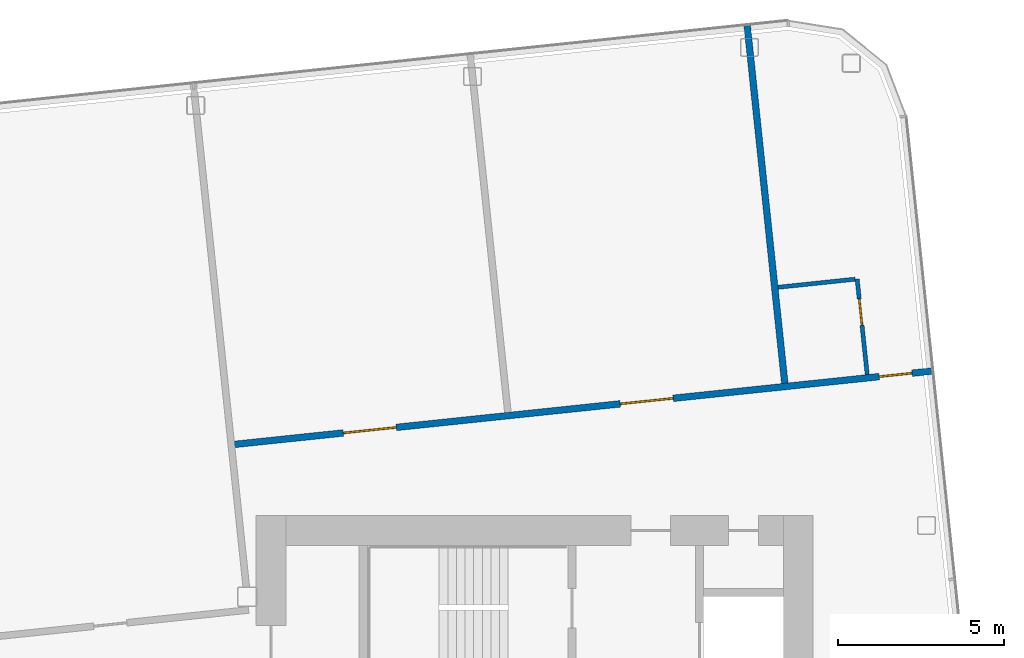
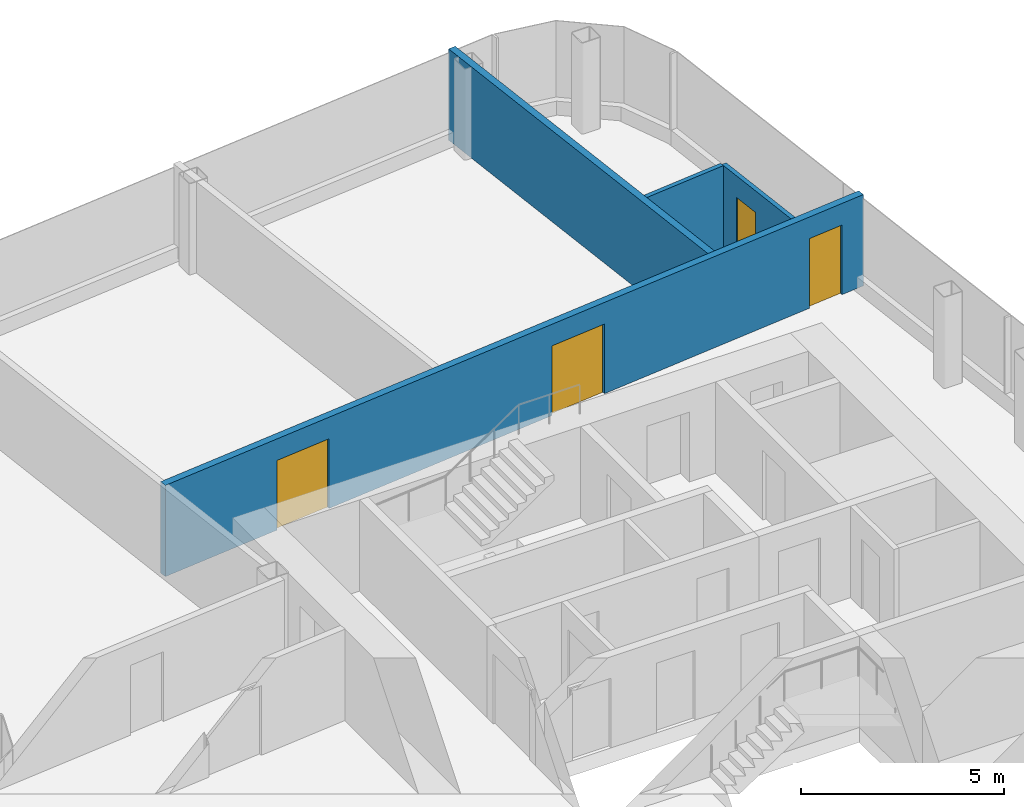
# One storey, part 18 of 27: 4 doors, 4 walls, 4 openings.
"""IFC4 building model written with IfcOpenShell, lengths in metres."""

from ifc_helpers import new_model, si_unit, direction, frame, frame_2d, origin, place, context, subcontext, project, spatial, rectangle, extrude, material, layer, layer_set, type_object, element, fill, save


model = new_model("IFC4")

# Units and contexts
model_context = context("Model", 3, precision=1e-05, world=origin(), true_north=direction((0.0, 1.0)))
body_context = subcontext(model_context, "Body", "Model", "MODEL_VIEW")
ifc_project = project(units=[si_unit("LENGTHUNIT", "METRE"), si_unit("AREAUNIT", "SQUARE_METRE"), si_unit("VOLUMEUNIT", "CUBIC_METRE"), si_unit("PLANEANGLEUNIT", "RADIAN"), si_unit("MASSUNIT", "GRAM", prefix="KILO")], contexts=[model_context])

# Site, building, storey
site_placement = place(None, origin())
site = spatial("IfcSite", under=ifc_project, at=site_placement, CompositionType="ELEMENT")
building_placement = place(site_placement, origin())
building = spatial("IfcBuilding", under=site, at=building_placement, Name="Hakoniwa Tower and Hamabe Station Hall", CompositionType="ELEMENT")
storey_placement = place(building_placement, frame((0.0, 0.0, 242.199951171875)))
storey = spatial("IfcBuildingStorey", under=building, at=storey_placement, Name="L68", CompositionType="ELEMENT", Elevation=242.199951171875)

# Wall
ifc_material_1 = material(Name="Gypsum board partition", Category="gypsum")
ifc_layer_1 = layer(ifc_material_1, 0.125)
ifc_layer_set_1 = layer_set([ifc_layer_1], Name="Bathroom Partition 125")
wall_type_1 = type_object("IfcWallType", Name="Bathroom Partition 125", PredefinedType="PARTITIONING", material=ifc_layer_set_1)
wall_1_placement = place(storey_placement, frame((32.5419921875, 15.283203125, 0.0), z_axis=(0.0, 0.0, 1.0), x_axis=(0.994519751088, 0.104548862722, 0.0)))
element("IfcWall", 1, at=wall_1_placement, inside=storey, type_object=wall_type_1, Name="GW-L68-011", PredefinedType="PARTITIONING", context=body_context, shape_type="SweptSolid", body=[
    extrude(rectangle(XDim=2.33740234375, YDim=0.125, at=frame_2d((1.168701171875, 0.0))), origin(), (0.0, 0.0, 1.0), 2.75),
])

# Wall, opening, door
wall_2_placement = place(storey_placement, frame((35.23193359375, 12.64990234375, 0.0), z_axis=(0.0, 0.0, 1.0), x_axis=(-0.104470059912, 0.994528032074, 0.0)))
wall_2 = element("IfcWall", 2, at=wall_2_placement, inside=storey, type_object=wall_type_1, Name="GW-L68-045", PredefinedType="PARTITIONING", context=body_context, shape_type="SweptSolid", body=[
    extrude(rectangle(XDim=2.900146484375, YDim=0.125, at=frame_2d((1.4501953125, 0.0))), origin(), (0.0, 0.0, 1.0), 2.75),
])
opening_1_placement = place(wall_2_placement, frame((1.5, 0.0, 0.0)))
opening_1 = element("IfcOpeningElement", 3, at=opening_1_placement, cuts=wall_2, Name="Opening GD-G5B0-31", PredefinedType="OPENING", context=body_context, shape_type="SweptSolid", body=[
    extrude(rectangle(XDim=0.800048828125, YDim=2.10009765625, at=frame_2d((0.39990234375, 1.050048828125))), frame((0.0, 0.072509765625, 0.0), z_axis=(0.0, -1.0, 0.0), x_axis=(1.0, 0.0, 0.0)), (0.0, 0.0, 1.0), 0.14501953125),
])
ifc_material_2 = material(Name="Timber door leaf", Category="wood")
door_type_1 = type_object("IfcDoorType", Name="Bathroom Door 800", OperationType="SINGLE_SWING_LEFT", PredefinedType="DOOR", material=ifc_material_2)
door_1_placement = place(opening_1_placement, origin())
door_1 = element("IfcDoor", 4, at=door_1_placement, inside=storey, type_object=door_type_1, Name="Door GD-G5B0-31", OperationType="SINGLE_SWING_LEFT", OverallHeight=2.10009765625, OverallWidth=0.800048828125, PredefinedType="DOOR", context=body_context, shape_type="SweptSolid", body=[
    extrude(rectangle(XDim=0.800048828125, YDim=2.10009765625, at=frame_2d((0.39990234375, 1.050048828125))), frame((0.0, 0.02490234375, 0.0), z_axis=(0.0, -1.0, 0.0), x_axis=(1.0, 0.0, 0.0)), (0.0, 0.0, 1.0), 0.050048828125),
])
fill(opening_1, door_1)

# Wall, openings, doors
ifc_material_3 = material(Name="Fire-rated gypsum board partition", Category="gypsum")
ifc_layer_2 = layer(ifc_material_3, 0.199951171875)
ifc_layer_set_2 = layer_set([ifc_layer_2], Name="Corridor Wall 200")
wall_type_2 = type_object("IfcWallType", Name="Corridor Wall 200", PredefinedType="PARTITIONING", material=ifc_layer_set_2)
wall_3_placement = place(storey_placement, frame((16.04833984375, 10.533203125, 0.0), z_axis=(0.0, 0.0, 1.0), x_axis=(0.994522460242, 0.104523088709, 0.0)))
wall_3 = element("IfcWall", 5, at=wall_3_placement, inside=storey, type_object=wall_type_2, Name="GW-L68-010", PredefinedType="PARTITIONING", context=body_context, shape_type="SweptSolid", body=[
    extrude(rectangle(XDim=21.2998046875, YDim=0.199951171875, at=frame_2d((10.64990234375, 0.0))), origin(), (0.0, 0.0, 1.0), 2.75),
])
opening_2_placement = place(wall_3_placement, frame((3.39990234375, 0.0, 0.0)))
opening_2 = element("IfcOpeningElement", 6, at=opening_2_placement, cuts=wall_3, Name="Opening GD-G5B0-17", PredefinedType="OPENING", context=body_context, shape_type="SweptSolid", body=[
    extrude(rectangle(XDim=1.60009765625, YDim=2.10009765625, at=frame_2d((0.800048828125, 1.050048828125))), frame((0.0, 0.10986328125, 0.0), z_axis=(0.0, -1.0, 0.0), x_axis=(1.0, 0.0, 0.0)), (0.0, 0.0, 1.0), 0.219970703125),
])
opening_3_placement = place(wall_3_placement, frame((11.800048828125, 0.0, 0.0)))
opening_3 = element("IfcOpeningElement", 7, at=opening_3_placement, cuts=wall_3, Name="Opening GD-G5B0-18", PredefinedType="OPENING", context=body_context, shape_type="SweptSolid", body=[
    extrude(rectangle(XDim=1.60009765625, YDim=2.10009765625, at=frame_2d((0.800048828125, 1.050048828125))), frame((0.0, 0.10986328125, 0.0), z_axis=(0.0, -1.0, 0.0), x_axis=(1.0, 0.0, 0.0)), (0.0, 0.0, 1.0), 0.219970703125),
])
opening_4_placement = place(wall_3_placement, frame((19.64990234375, 0.0, 0.0)))
opening_4 = element("IfcOpeningElement", 8, at=opening_4_placement, cuts=wall_3, Name="Opening GD-G5B0-19", PredefinedType="OPENING", context=body_context, shape_type="SweptSolid", body=[
    extrude(rectangle(XDim=1.0, YDim=2.10009765625, at=frame_2d((0.5, 1.050048828125))), frame((0.0, 0.10986328125, 0.0), z_axis=(0.0, -1.0, 0.0), x_axis=(1.0, 0.0, 0.0)), (0.0, 0.0, 1.0), 0.219970703125),
])
ifc_material_4 = material(Name="Timber door leaf", Category="wood")
door_type_2 = type_object("IfcDoorType", Name="Double Door 1600", OperationType="DOUBLE_DOOR_SINGLE_SWING", PredefinedType="DOOR", material=ifc_material_4)
door_2_placement = place(opening_2_placement, origin())
door_2 = element("IfcDoor", 9, at=door_2_placement, inside=storey, type_object=door_type_2, Name="Door GD-G5B0-17", OperationType="DOUBLE_DOOR_SINGLE_SWING", OverallHeight=2.10009765625, OverallWidth=1.60009765625, PredefinedType="DOOR", context=body_context, shape_type="SweptSolid", body=[
    extrude(rectangle(XDim=1.60009765625, YDim=2.10009765625, at=frame_2d((0.800048828125, 1.050048828125))), frame((0.0, 0.02490234375, 0.0), z_axis=(0.0, -1.0, 0.0), x_axis=(1.0, 0.0, 0.0)), (0.0, 0.0, 1.0), 0.050048828125),
])
fill(opening_2, door_2)
door_3_placement = place(opening_3_placement, origin())
door_3 = element("IfcDoor", 10, at=door_3_placement, inside=storey, type_object=door_type_2, Name="Door GD-G5B0-18", OperationType="DOUBLE_DOOR_SINGLE_SWING", OverallHeight=2.10009765625, OverallWidth=1.60009765625, PredefinedType="DOOR", context=body_context, shape_type="SweptSolid", body=[
    extrude(rectangle(XDim=1.60009765625, YDim=2.10009765625, at=frame_2d((0.800048828125, 1.050048828125))), frame((0.0, 0.02490234375, 0.0), z_axis=(0.0, -1.0, 0.0), x_axis=(1.0, 0.0, 0.0)), (0.0, 0.0, 1.0), 0.050048828125),
])
fill(opening_3, door_3)
ifc_material_5 = material(Name="Timber door leaf", Category="wood")
door_type_3 = type_object("IfcDoorType", Name="Guest Entrance Door 1000", OperationType="SINGLE_SWING_LEFT", PredefinedType="DOOR", material=ifc_material_5)
door_4_placement = place(opening_4_placement, origin())
door_4 = element("IfcDoor", 11, at=door_4_placement, inside=storey, type_object=door_type_3, Name="Door GD-G5B0-19", OperationType="SINGLE_SWING_RIGHT", OverallHeight=2.10009765625, OverallWidth=1.0, PredefinedType="DOOR", context=body_context, shape_type="SweptSolid", body=[
    extrude(rectangle(XDim=1.0, YDim=2.10009765625, at=frame_2d((0.5, 1.050048828125))), frame((0.0, 0.02490234375, 0.0), z_axis=(0.0, -1.0, 0.0), x_axis=(1.0, 0.0, 0.0)), (0.0, 0.0, 1.0), 0.050048828125),
])
fill(opening_4, door_4)

# Wall
ifc_material_6 = material(Name="Fire-rated gypsum board partition", Category="gypsum")
ifc_layer_3 = layer(ifc_material_6, 0.199951171875)
ifc_layer_set_3 = layer_set([ifc_layer_3], Name="Party Wall 200")
wall_type_3 = type_object("IfcWallType", Name="Party Wall 200", PredefinedType="PARTITIONING", material=ifc_layer_set_3)
wall_4_placement = place(storey_placement, frame((32.745849609375, 12.388671875, 0.0), z_axis=(0.0, 0.0, 1.0), x_axis=(-0.104533048416, 0.994521413439, 0.0)))
element("IfcWall", 12, at=wall_4_placement, inside=storey, type_object=wall_type_3, Name="GW-L68-044", PredefinedType="PARTITIONING", context=body_context, shape_type="SweptSolid", body=[
    extrude(rectangle(XDim=10.88818359375, YDim=0.199951171875, at=frame_2d((5.444091796875, 0.0))), origin(), (0.0, 0.0, 1.0), 2.75),
])

save(model, "model.ifc")
